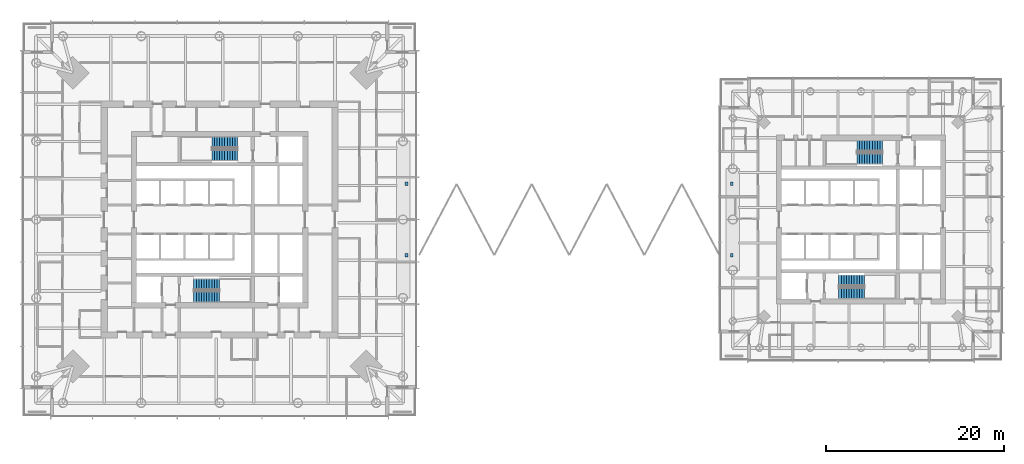
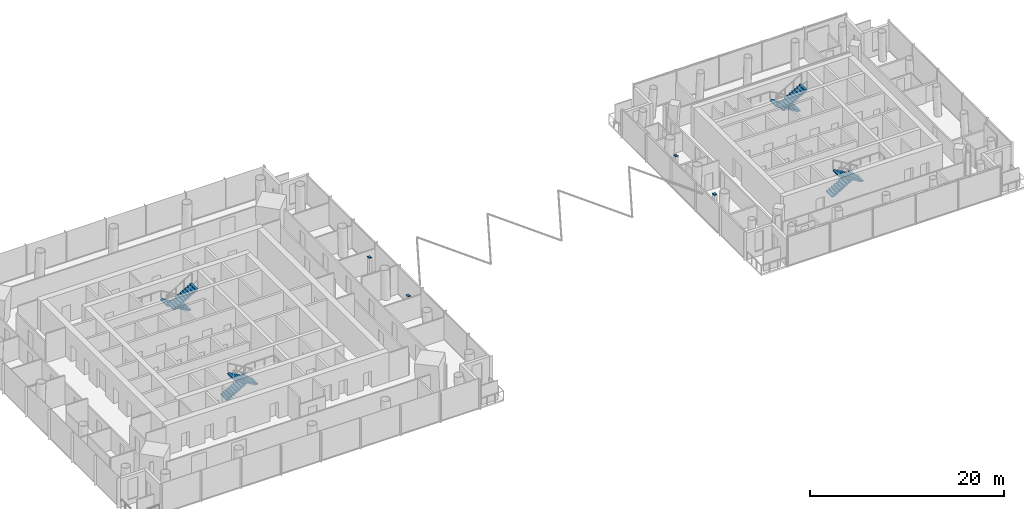
# One storey, part 17 of 19: 8 stair flights, 4 discrete accessories, 4 elements without a shape of their own.
"""IFC4 building model written with IfcOpenShell, lengths in metres."""

from ifc_helpers import new_model, si_unit, direction, frame, origin, origin_2d, place, context, subcontext, project, spatial, polyline, rectangle, outline, extrude, material, type_object, element, aggregate, save


model = new_model("IFC4")

# Units and contexts
model_context = context("Model", 3, precision=1e-05, world=origin(), true_north=direction((0.0, 1.0)))
body_context = subcontext(model_context, "Body", "Model", "MODEL_VIEW")
ifc_project = project(units=[si_unit("LENGTHUNIT", "METRE"), si_unit("AREAUNIT", "SQUARE_METRE"), si_unit("VOLUMEUNIT", "CUBIC_METRE"), si_unit("PLANEANGLEUNIT", "RADIAN"), si_unit("MASSUNIT", "GRAM", prefix="KILO")], contexts=[model_context])

# Site, building, storey
site_placement = place(None, origin())
site = spatial("IfcSite", under=ifc_project, at=site_placement, CompositionType="ELEMENT")
building_placement = place(site_placement, origin())
building = spatial("IfcBuilding", under=site, at=building_placement, Name="Ostroluk Exchange", CompositionType="ELEMENT")
storey_placement = place(building_placement, frame((0.0, 0.0, 127.39990234375)))
storey = spatial("IfcBuildingStorey", under=building, at=storey_placement, Name="L32", CompositionType="ELEMENT", Elevation=127.39990234375)

# Stair, stair flights
ifc_material_1 = material(Name="Concrete C30/37", Category="concrete")
stair_type = type_object("IfcStairType", Name="Exit stair half turn 3800", PredefinedType="HALF_TURN_STAIR", material=ifc_material_1)
stair_1_placement = place(storey_placement, origin())
stair_1 = element("IfcStair", 1, at=stair_1_placement, inside=storey, type_object=stair_type, Name="Stair T1-S1 L32", PredefinedType="HALF_TURN_STAIR")
ifc_material_2 = material(Name="Concrete C30/37", Category="concrete")
stair_flight_type = type_object("IfcStairFlightType", Name="Stair flight 11 risers 172.7 x 290", PredefinedType="STRAIGHT", material=ifc_material_2)
stair_flight_1_placement = place(storey_placement, frame((42.10009765625, 38.77490234375, 0.0), z_axis=(0.0, 0.0, 1.0), x_axis=(1.0, 0.0, 0.0)))
stair_flight_1 = element("IfcStairFlight", 2, at=stair_flight_1_placement, type_object=stair_flight_type, Name="T1-S1 flight 1", NumberOfRisers=11, NumberOfTreads=10, PredefinedType="STRAIGHT", RiserHeight=0.172727273, TreadLength=0.29, context=body_context, shape_type="SweptSolid", body=[
    extrude(outline(polyline([(0.0, 0.0), (0.0, 0.172607421875), (0.2900390625, 0.172607421875), (0.2900390625, 0.345458984375), (0.580078125, 0.345458984375), (0.580078125, 0.51806640625), (0.8701171875, 0.51806640625), (0.8701171875, 0.69091796875), (1.159912109375, 0.69091796875), (1.159912109375, 0.863525390625), (1.449951171875, 0.863525390625), (1.449951171875, 1.036376953125), (1.739990234375, 1.036376953125), (1.739990234375, 1.208984375), (2.030029296875, 1.208984375), (2.030029296875, 1.3818359375), (2.320068359375, 1.3818359375), (2.320068359375, 1.554443359375), (2.610107421875, 1.554443359375), (2.610107421875, 1.727294921875), (2.89990234375, 1.727294921875), (2.89990234375, 1.89990234375), (2.89990234375, 1.552734375), (0.29296875, 0.0), (0.0, 0.0)])), frame((0.0, 0.625, 0.0), z_axis=(0.0, -1.0, 0.0), x_axis=(1.0, 0.0, 0.0)), (0.0, 0.0, 1.0), 1.25),
])
stair_flight_2_placement = place(storey_placement, frame((45.0, 37.324951171875, 1.900146484375), z_axis=(0.0, 0.0, 1.0), x_axis=(-1.0, 0.0, 0.0)))
stair_flight_2 = element("IfcStairFlight", 3, at=stair_flight_2_placement, type_object=stair_flight_type, Name="T1-S1 flight 2", NumberOfRisers=11, NumberOfTreads=10, PredefinedType="STRAIGHT", RiserHeight=0.172727273, TreadLength=0.29, context=body_context, shape_type="SweptSolid", body=[
    extrude(outline(polyline([(0.0, 0.0), (0.0, 0.172607421875), (0.2900390625, 0.172607421875), (0.2900390625, 0.345458984375), (0.580078125, 0.345458984375), (0.580078125, 0.51806640625), (0.8701171875, 0.51806640625), (0.8701171875, 0.69091796875), (1.159912109375, 0.69091796875), (1.159912109375, 0.863525390625), (1.449951171875, 0.863525390625), (1.449951171875, 1.036376953125), (1.739990234375, 1.036376953125), (1.739990234375, 1.208984375), (2.030029296875, 1.208984375), (2.030029296875, 1.3818359375), (2.320068359375, 1.3818359375), (2.320068359375, 1.554443359375), (2.610107421875, 1.554443359375), (2.610107421875, 1.727294921875), (2.89990234375, 1.727294921875), (2.89990234375, 1.89990234375), (2.89990234375, 1.552734375), (0.29296875, 0.0), (0.0, 0.0)])), frame((0.0, 0.625, 0.0), z_axis=(0.0, -1.0, 0.0), x_axis=(1.0, 0.0, 0.0)), (0.0, 0.0, 1.0), 1.25),
])
aggregate(stair_1, [stair_flight_1, stair_flight_2])

stair_2_placement = place(storey_placement, origin())
stair_2 = element("IfcStair", 4, at=stair_2_placement, inside=storey, type_object=stair_type, Name="Stair T1-S2 L32", PredefinedType="HALF_TURN_STAIR")
stair_flight_3_placement = place(storey_placement, frame((47.030029296875, 54.675048828125, 0.0), z_axis=(0.0, 0.0, 1.0), x_axis=(-1.0, 0.0, 0.0)))
stair_flight_3 = element("IfcStairFlight", 5, at=stair_flight_3_placement, type_object=stair_flight_type, Name="T1-S2 flight 1", NumberOfRisers=11, NumberOfTreads=10, PredefinedType="STRAIGHT", RiserHeight=0.172727273, TreadLength=0.29, context=body_context, shape_type="SweptSolid", body=[
    extrude(outline(polyline([(0.0, 0.0), (0.0, 0.172607421875), (0.2900390625, 0.172607421875), (0.2900390625, 0.345458984375), (0.580078125, 0.345458984375), (0.580078125, 0.51806640625), (0.8701171875, 0.51806640625), (0.8701171875, 0.69091796875), (1.159912109375, 0.69091796875), (1.159912109375, 0.863525390625), (1.449951171875, 0.863525390625), (1.449951171875, 1.036376953125), (1.739990234375, 1.036376953125), (1.739990234375, 1.208984375), (2.030029296875, 1.208984375), (2.030029296875, 1.3818359375), (2.320068359375, 1.3818359375), (2.320068359375, 1.554443359375), (2.610107421875, 1.554443359375), (2.610107421875, 1.727294921875), (2.89990234375, 1.727294921875), (2.89990234375, 1.89990234375), (2.89990234375, 1.552734375), (0.29296875, 0.0), (0.0, 0.0)])), frame((0.0, 0.625, 0.0), z_axis=(0.0, -1.0, 0.0), x_axis=(1.0, 0.0, 0.0)), (0.0, 0.0, 1.0), 1.25),
])
stair_flight_4_placement = place(storey_placement, frame((44.1298828125, 53.22509765625, 1.900146484375), z_axis=(0.0, 0.0, 1.0), x_axis=(1.0, 0.0, 0.0)))
stair_flight_4 = element("IfcStairFlight", 6, at=stair_flight_4_placement, type_object=stair_flight_type, Name="T1-S2 flight 2", NumberOfRisers=11, NumberOfTreads=10, PredefinedType="STRAIGHT", RiserHeight=0.172727273, TreadLength=0.29, context=body_context, shape_type="SweptSolid", body=[
    extrude(outline(polyline([(0.0, 0.0), (0.0, 0.172607421875), (0.2900390625, 0.172607421875), (0.2900390625, 0.345458984375), (0.580078125, 0.345458984375), (0.580078125, 0.51806640625), (0.8701171875, 0.51806640625), (0.8701171875, 0.69091796875), (1.159912109375, 0.69091796875), (1.159912109375, 0.863525390625), (1.449951171875, 0.863525390625), (1.449951171875, 1.036376953125), (1.739990234375, 1.036376953125), (1.739990234375, 1.208984375), (2.030029296875, 1.208984375), (2.030029296875, 1.3818359375), (2.320068359375, 1.3818359375), (2.320068359375, 1.554443359375), (2.610107421875, 1.554443359375), (2.610107421875, 1.727294921875), (2.89990234375, 1.727294921875), (2.89990234375, 1.89990234375), (2.89990234375, 1.552734375), (0.29296875, 0.0), (0.0, 0.0)])), frame((0.0, 0.625, 0.0), z_axis=(0.0, -1.0, 0.0), x_axis=(1.0, 0.0, 0.0)), (0.0, 0.0, 1.0), 1.25),
])
aggregate(stair_2, [stair_flight_3, stair_flight_4])

stair_3_placement = place(storey_placement, origin())
stair_3 = element("IfcStair", 7, at=stair_3_placement, inside=storey, type_object=stair_type, Name="Stair T2-S1 L32", PredefinedType="HALF_TURN_STAIR")
stair_flight_5_placement = place(storey_placement, frame((114.5, 39.175048828125, 0.0), z_axis=(0.0, 0.0, 1.0), x_axis=(1.0, 0.0, 0.0)))
stair_flight_5 = element("IfcStairFlight", 8, at=stair_flight_5_placement, type_object=stair_flight_type, Name="T2-S1 flight 1", NumberOfRisers=11, NumberOfTreads=10, PredefinedType="STRAIGHT", RiserHeight=0.172727273, TreadLength=0.29, context=body_context, shape_type="SweptSolid", body=[
    extrude(outline(polyline([(0.0, 0.0), (0.0, 0.172607421875), (0.2900390625, 0.172607421875), (0.2900390625, 0.345458984375), (0.580078125, 0.345458984375), (0.580078125, 0.51806640625), (0.8701171875, 0.51806640625), (0.8701171875, 0.69091796875), (1.159912109375, 0.69091796875), (1.159912109375, 0.863525390625), (1.449951171875, 0.863525390625), (1.449951171875, 1.036376953125), (1.739990234375, 1.036376953125), (1.739990234375, 1.208984375), (2.030029296875, 1.208984375), (2.030029296875, 1.3818359375), (2.320068359375, 1.3818359375), (2.320068359375, 1.554443359375), (2.610107421875, 1.554443359375), (2.610107421875, 1.727294921875), (2.89990234375, 1.727294921875), (2.89990234375, 1.89990234375), (2.89990234375, 1.552734375), (0.29296875, 0.0), (0.0, 0.0)])), frame((0.0, 0.625, 0.0), z_axis=(0.0, -1.0, 0.0), x_axis=(1.0, 0.0, 0.0)), (0.0, 0.0, 1.0), 1.25),
])
stair_flight_6_placement = place(storey_placement, frame((117.39990234375, 37.72509765625, 1.900146484375), z_axis=(0.0, 0.0, 1.0), x_axis=(-1.0, 0.0, 0.0)))
stair_flight_6 = element("IfcStairFlight", 9, at=stair_flight_6_placement, type_object=stair_flight_type, Name="T2-S1 flight 2", NumberOfRisers=11, NumberOfTreads=10, PredefinedType="STRAIGHT", RiserHeight=0.172727273, TreadLength=0.29, context=body_context, shape_type="SweptSolid", body=[
    extrude(outline(polyline([(0.0, 0.0), (0.0, 0.172607421875), (0.2900390625, 0.172607421875), (0.2900390625, 0.345458984375), (0.580078125, 0.345458984375), (0.580078125, 0.51806640625), (0.8701171875, 0.51806640625), (0.8701171875, 0.69091796875), (1.159912109375, 0.69091796875), (1.159912109375, 0.863525390625), (1.449951171875, 0.863525390625), (1.449951171875, 1.036376953125), (1.739990234375, 1.036376953125), (1.739990234375, 1.208984375), (2.030029296875, 1.208984375), (2.030029296875, 1.3818359375), (2.320068359375, 1.3818359375), (2.320068359375, 1.554443359375), (2.610107421875, 1.554443359375), (2.610107421875, 1.727294921875), (2.89990234375, 1.727294921875), (2.89990234375, 1.89990234375), (2.89990234375, 1.552734375), (0.29296875, 0.0), (0.0, 0.0)])), frame((0.0, 0.625, 0.0), z_axis=(0.0, -1.0, 0.0), x_axis=(1.0, 0.0, 0.0)), (0.0, 0.0, 1.0), 1.25),
])
aggregate(stair_3, [stair_flight_5, stair_flight_6])

stair_4_placement = place(storey_placement, origin())
stair_4 = element("IfcStair", 10, at=stair_4_placement, inside=storey, type_object=stair_type, Name="Stair T2-S2 L32", PredefinedType="HALF_TURN_STAIR")
stair_flight_7_placement = place(storey_placement, frame((119.429931640625, 54.27490234375, 0.0), z_axis=(0.0, 0.0, 1.0), x_axis=(-1.0, 0.0, 0.0)))
stair_flight_7 = element("IfcStairFlight", 11, at=stair_flight_7_placement, type_object=stair_flight_type, Name="T2-S2 flight 1", NumberOfRisers=11, NumberOfTreads=10, PredefinedType="STRAIGHT", RiserHeight=0.172727273, TreadLength=0.29, context=body_context, shape_type="SweptSolid", body=[
    extrude(outline(polyline([(0.0, 0.0), (0.0, 0.172607421875), (0.2900390625, 0.172607421875), (0.2900390625, 0.345458984375), (0.580078125, 0.345458984375), (0.580078125, 0.51806640625), (0.8701171875, 0.51806640625), (0.8701171875, 0.69091796875), (1.159912109375, 0.69091796875), (1.159912109375, 0.863525390625), (1.449951171875, 0.863525390625), (1.449951171875, 1.036376953125), (1.739990234375, 1.036376953125), (1.739990234375, 1.208984375), (2.030029296875, 1.208984375), (2.030029296875, 1.3818359375), (2.320068359375, 1.3818359375), (2.320068359375, 1.554443359375), (2.610107421875, 1.554443359375), (2.610107421875, 1.727294921875), (2.89990234375, 1.727294921875), (2.89990234375, 1.89990234375), (2.89990234375, 1.552734375), (0.29296875, 0.0), (0.0, 0.0)])), frame((0.0, 0.625, 0.0), z_axis=(0.0, -1.0, 0.0), x_axis=(1.0, 0.0, 0.0)), (0.0, 0.0, 1.0), 1.25),
])
stair_flight_8_placement = place(storey_placement, frame((116.530029296875, 52.824951171875, 1.900146484375), z_axis=(0.0, 0.0, 1.0), x_axis=(1.0, 0.0, 0.0)))
stair_flight_8 = element("IfcStairFlight", 12, at=stair_flight_8_placement, type_object=stair_flight_type, Name="T2-S2 flight 2", NumberOfRisers=11, NumberOfTreads=10, PredefinedType="STRAIGHT", RiserHeight=0.172727273, TreadLength=0.29, context=body_context, shape_type="SweptSolid", body=[
    extrude(outline(polyline([(0.0, 0.0), (0.0, 0.172607421875), (0.2900390625, 0.172607421875), (0.2900390625, 0.345458984375), (0.580078125, 0.345458984375), (0.580078125, 0.51806640625), (0.8701171875, 0.51806640625), (0.8701171875, 0.69091796875), (1.159912109375, 0.69091796875), (1.159912109375, 0.863525390625), (1.449951171875, 0.863525390625), (1.449951171875, 1.036376953125), (1.739990234375, 1.036376953125), (1.739990234375, 1.208984375), (2.030029296875, 1.208984375), (2.030029296875, 1.3818359375), (2.320068359375, 1.3818359375), (2.320068359375, 1.554443359375), (2.610107421875, 1.554443359375), (2.610107421875, 1.727294921875), (2.89990234375, 1.727294921875), (2.89990234375, 1.89990234375), (2.89990234375, 1.552734375), (0.29296875, 0.0), (0.0, 0.0)])), frame((0.0, 0.625, 0.0), z_axis=(0.0, -1.0, 0.0), x_axis=(1.0, 0.0, 0.0)), (0.0, 0.0, 1.0), 1.25),
])
aggregate(stair_4, [stair_flight_7, stair_flight_8])

# Discrete accessories
ifc_material_3 = material(Name="Steel-laminated elastomer on a steel pedestal", Category="steel")
discrete_accessory_type_1 = type_object("IfcDiscreteAccessoryType", Name="BRFP fixed bearing 300 x 400 x 40", PredefinedType="USERDEFINED", material=ifc_material_3)
for number, where, z_axis, x_axis, name in (
    (13, (102.5, 42.0, 2.548095703125), (0.0, 0.0, 1.0), (1.0, 0.0, 0.0), "BR2 S pinned bearing E"),
    (14, (102.5, 50.0, 2.548095703125), (0.0, 0.0, 1.0), (1.0, 0.0, 0.0), "BR2 N pinned bearing E"),
):
    element("IfcDiscreteAccessory", number, at=place(storey_placement, frame(where, z_axis=z_axis, x_axis=x_axis)), inside=storey, type_object=discrete_accessory_type_1, Name=name, ObjectType="PINNED BEARING", PredefinedType="USERDEFINED", context=body_context, shape_type="SweptSolid", body=[
        extrude(rectangle(XDim=0.300048828125, YDim=0.39990234375, at=origin_2d()), origin(), (0.0, 0.0, 1.0), 0.0400390625),
    ])
ifc_material_4 = material(Name="Steel-laminated elastomer with PTFE sliding face", Category="steel")
discrete_accessory_type_2 = type_object("IfcDiscreteAccessoryType", Name="BRS sliding bearing 300 x 400 x 40", PredefinedType="USERDEFINED", material=ifc_material_4)
for number, where, z_axis, x_axis, name in (
    (15, (65.978515625, 42.0, 2.548095703125), (0.0, 0.0, 1.0), (1.0, 0.0, 0.0), "BR2 S sliding bearing W"),
    (16, (65.978515625, 50.0, 2.548095703125), (0.0, 0.0, 1.0), (1.0, 0.0, 0.0), "BR2 N sliding bearing W"),
):
    element("IfcDiscreteAccessory", number, at=place(storey_placement, frame(where, z_axis=z_axis, x_axis=x_axis)), inside=storey, type_object=discrete_accessory_type_2, Name=name, ObjectType="SLIDING BEARING", PredefinedType="USERDEFINED", context=body_context, shape_type="SweptSolid", body=[
        extrude(rectangle(XDim=0.300048828125, YDim=0.39990234375, at=origin_2d()), origin(), (0.0, 0.0, 1.0), 0.0400390625),
    ])

save(model, "model.ifc")
